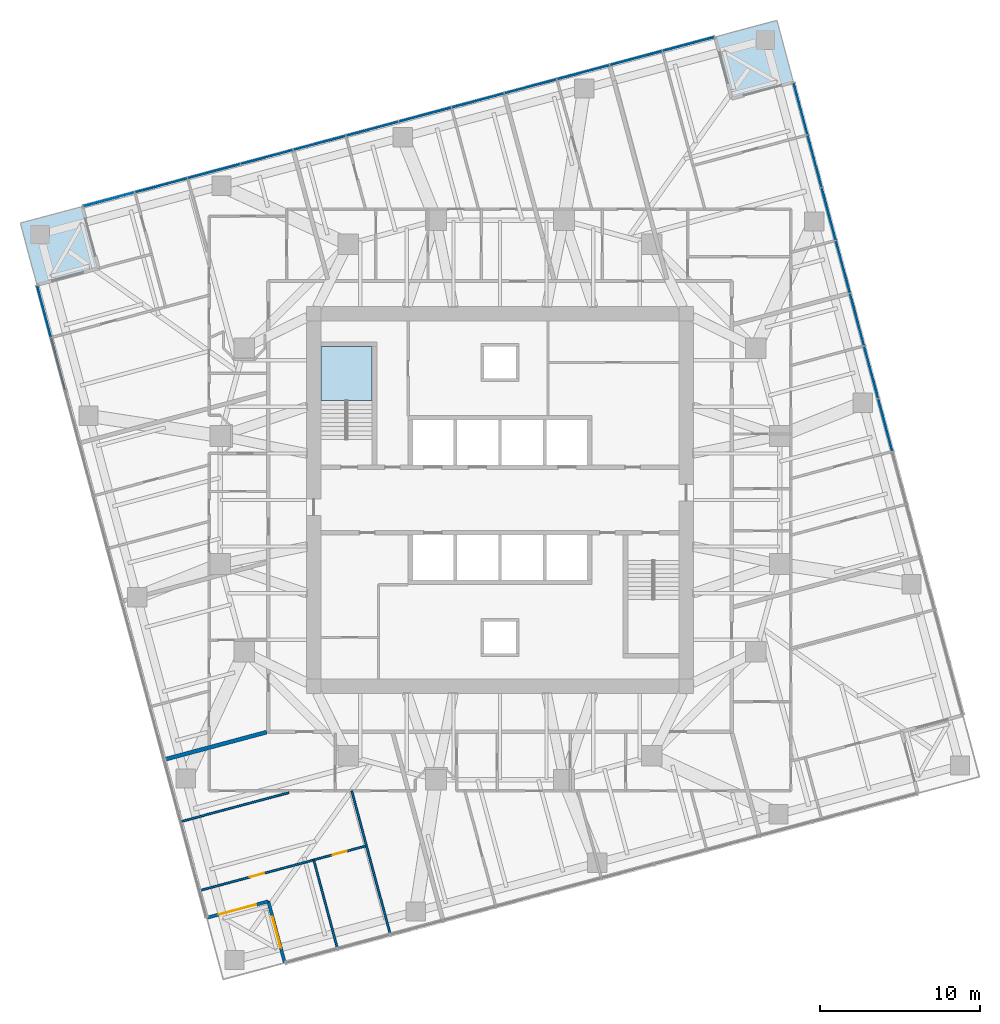
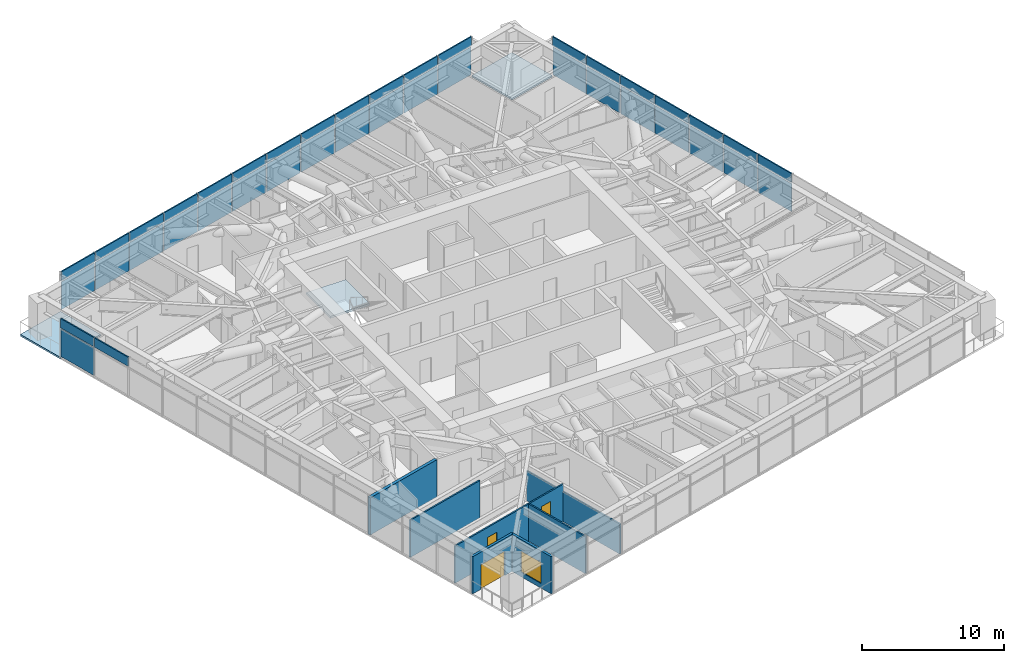
# One storey, part 10 of 18: 41 plates, 7 walls, 3 doors, 3 slabs, 1 window, 4 openings, 4 elements without a shape of their own.
"""IFC4 building model written with IfcOpenShell, lengths in metres."""

from ifc_helpers import new_model, si_unit, direction, frame, frame_2d, origin, origin_2d, place, context, subcontext, project, spatial, polyline, rectangle, outline, extrude, material, layer, layer_set, type_object, element, fill, aggregate, save


model = new_model("IFC4")

# Units and contexts
model_context = context("Model", 3, precision=1e-05, world=origin(), true_north=direction((0.0, 1.0)))
body_context = subcontext(model_context, "Body", "Model", "MODEL_VIEW")
ifc_project = project(units=[si_unit("LENGTHUNIT", "METRE"), si_unit("AREAUNIT", "SQUARE_METRE"), si_unit("VOLUMEUNIT", "CUBIC_METRE"), si_unit("PLANEANGLEUNIT", "RADIAN"), si_unit("MASSUNIT", "GRAM", prefix="KILO")], contexts=[model_context])

# Site, building, storey
site_placement = place(None, origin())
site = spatial("IfcSite", under=ifc_project, at=site_placement, CompositionType="ELEMENT")
building_placement = place(site_placement, origin())
building = spatial("IfcBuilding", under=site, at=building_placement, Name="Torsade Residences", CompositionType="ELEMENT")
storey_placement = place(building_placement, frame((0.0, 0.0, 135.39990234375)))
storey = spatial("IfcBuildingStorey", under=building, at=storey_placement, Name="L37", CompositionType="ELEMENT", Elevation=135.39990234375)

# Curtain wall, plates
ifc_material_1 = material(Name="Aluminium and glass", Category="aluminium")
curtain_wall_type = type_object("IfcCurtainWallType", Name="FRITTED GLASS CURTAIN WALL MID ZONE", PredefinedType="NOTDEFINED", material=ifc_material_1)
curtain_wall_1_placement = place(storey_placement, origin())
curtain_wall_1 = element("IfcCurtainWall", 1, at=curtain_wall_1_placement, inside=storey, type_object=curtain_wall_type, Name="Curtain wall L37 face 4", PredefinedType="NOTDEFINED")
ifc_material_2 = material(Name="Laminated glass", Category="glass")
ifc_layer_1 = layer(ifc_material_2, 0.031982421875)
ifc_layer_set_1 = layer_set([ifc_layer_1], Name="Laminated glass")
plate_type_1 = type_object("IfcPlateType", Name="FRITTED GLASS PANEL", PredefinedType="CURTAIN_PANEL", material=ifc_layer_set_1)
plate_1_placement = place(storey_placement, frame((63.22314453125, 37.9912109375, 0.1103515625), z_axis=(0.0, 0.0, 1.0), x_axis=(-0.258819047783, 0.965925825571, 0.0)))
plate_1 = element("IfcPlate", 2, at=plate_1_placement, type_object=plate_type_1, Name="Panel 7", PredefinedType="CURTAIN_PANEL", context=body_context, shape_type="SweptSolid", body=[
    extrude(rectangle(XDim=3.336669921875, YDim=0.031982421875, at=origin_2d()), origin(), (0.0, 0.0, 1.0), 2.389892578125),
])
plate_2_placement = place(storey_placement, frame((62.338623046875, 41.29150390625, 0.1103515625), z_axis=(0.0, 0.0, 1.0), x_axis=(-0.258819047783, 0.965925825571, 0.0)))
plate_2 = element("IfcPlate", 3, at=plate_2_placement, type_object=plate_type_1, Name="Panel 8", PredefinedType="CURTAIN_PANEL", context=body_context, shape_type="SweptSolid", body=[
    extrude(rectangle(XDim=3.336669921875, YDim=0.031982421875, at=origin_2d()), origin(), (0.0, 0.0, 1.0), 2.389892578125),
])
plate_3_placement = place(storey_placement, frame((61.454345703125, 44.591796875, 0.1103515625), z_axis=(0.0, 0.0, 1.0), x_axis=(-0.258819047783, 0.965925825571, 0.0)))
plate_3 = element("IfcPlate", 4, at=plate_3_placement, type_object=plate_type_1, Name="Panel 9", PredefinedType="CURTAIN_PANEL", context=body_context, shape_type="SweptSolid", body=[
    extrude(rectangle(XDim=3.336669921875, YDim=0.031982421875, at=origin_2d()), origin(), (0.0, 0.0, 1.0), 2.389892578125),
])
plate_4_placement = place(storey_placement, frame((59.685791015625, 51.192138671875, 0.1103515625), z_axis=(0.0, 0.0, 1.0), x_axis=(-0.258819047783, 0.965925825571, 0.0)))
plate_4 = element("IfcPlate", 5, at=plate_4_placement, type_object=plate_type_1, Name="Panel 11", PredefinedType="CURTAIN_PANEL", context=body_context, shape_type="SweptSolid", body=[
    extrude(rectangle(XDim=3.336669921875, YDim=0.031982421875, at=origin_2d()), origin(), (0.0, 0.0, 1.0), 2.389892578125),
])
plate_5_placement = place(storey_placement, frame((58.806640625, 54.47314453125, 0.1103515625), z_axis=(0.0, 0.0, 1.0), x_axis=(-0.258819047783, 0.965925825571, 0.0)))
plate_5 = element("IfcPlate", 6, at=plate_5_placement, type_object=plate_type_1, Name="Panel 12", PredefinedType="CURTAIN_PANEL", context=body_context, shape_type="SweptSolid", body=[
    extrude(rectangle(XDim=3.296630859375, YDim=0.031982421875, at=origin_2d()), origin(), (0.0, 0.0, 1.0), 2.389892578125),
])

curtain_wall_2_placement = place(storey_placement, origin())
curtain_wall_2 = element("IfcCurtainWall", 7, at=curtain_wall_2_placement, inside=storey, type_object=curtain_wall_type, Name="Curtain wall L37 face 7", PredefinedType="NOTDEFINED")
plate_6_placement = place(storey_placement, frame((51.791015625, 58.523681640625, 0.1103515625), z_axis=(0.0, 0.0, 1.0), x_axis=(-0.965925825571, -0.258819047783, 0.0)))
plate_6 = element("IfcPlate", 8, at=plate_6_placement, type_object=plate_type_1, Name="Panel 1", PredefinedType="CURTAIN_PANEL", context=body_context, shape_type="SweptSolid", body=[
    extrude(rectangle(XDim=3.296630859375, YDim=0.031982421875, at=origin_2d()), origin(), (0.0, 0.0, 1.0), 2.389892578125),
])
plate_7_placement = place(storey_placement, frame((45.209716796875, 56.76025390625, 0.1103515625), z_axis=(0.0, 0.0, 1.0), x_axis=(-0.965925825571, -0.258819047783, 0.0)))
plate_7 = element("IfcPlate", 9, at=plate_7_placement, type_object=plate_type_1, Name="Panel 3", PredefinedType="CURTAIN_PANEL", context=body_context, shape_type="SweptSolid", body=[
    extrude(rectangle(XDim=3.336669921875, YDim=0.031982421875, at=origin_2d()), origin(), (0.0, 0.0, 1.0), 2.389892578125),
])
plate_8_placement = place(storey_placement, frame((41.90966796875, 55.8759765625, 0.1103515625), z_axis=(0.0, 0.0, 1.0), x_axis=(-0.965925825571, -0.258819047783, 0.0)))
plate_8 = element("IfcPlate", 10, at=plate_8_placement, type_object=plate_type_1, Name="Panel 4", PredefinedType="CURTAIN_PANEL", context=body_context, shape_type="SweptSolid", body=[
    extrude(rectangle(XDim=3.336669921875, YDim=0.031982421875, at=origin_2d()), origin(), (0.0, 0.0, 1.0), 2.389892578125),
])
plate_9_placement = place(storey_placement, frame((38.609375, 54.99169921875, 0.1103515625), z_axis=(0.0, 0.0, 1.0), x_axis=(-0.965925825571, -0.258819047783, 0.0)))
plate_9 = element("IfcPlate", 11, at=plate_9_placement, type_object=plate_type_1, Name="Panel 5", PredefinedType="CURTAIN_PANEL", context=body_context, shape_type="SweptSolid", body=[
    extrude(rectangle(XDim=3.336669921875, YDim=0.031982421875, at=origin_2d()), origin(), (0.0, 0.0, 1.0), 2.389892578125),
])
plate_10_placement = place(storey_placement, frame((32.0087890625, 53.22314453125, 0.1103515625), z_axis=(0.0, 0.0, 1.0), x_axis=(-0.965925825571, -0.258819047783, 0.0)))
plate_10 = element("IfcPlate", 12, at=plate_10_placement, type_object=plate_type_1, Name="Panel 7", PredefinedType="CURTAIN_PANEL", context=body_context, shape_type="SweptSolid", body=[
    extrude(rectangle(XDim=3.336669921875, YDim=0.031982421875, at=origin_2d()), origin(), (0.0, 0.0, 1.0), 2.389892578125),
])
plate_11_placement = place(storey_placement, frame((28.70849609375, 52.338623046875, 0.1103515625), z_axis=(0.0, 0.0, 1.0), x_axis=(-0.965925825571, -0.258819047783, 0.0)))
plate_11 = element("IfcPlate", 13, at=plate_11_placement, type_object=plate_type_1, Name="Panel 8", PredefinedType="CURTAIN_PANEL", context=body_context, shape_type="SweptSolid", body=[
    extrude(rectangle(XDim=3.336669921875, YDim=0.031982421875, at=origin_2d()), origin(), (0.0, 0.0, 1.0), 2.389892578125),
])
plate_12_placement = place(storey_placement, frame((25.408203125, 51.454345703125, 0.1103515625), z_axis=(0.0, 0.0, 1.0), x_axis=(-0.965925825571, -0.258819047783, 0.0)))
plate_12 = element("IfcPlate", 14, at=plate_12_placement, type_object=plate_type_1, Name="Panel 9", PredefinedType="CURTAIN_PANEL", context=body_context, shape_type="SweptSolid", body=[
    extrude(rectangle(XDim=3.336669921875, YDim=0.031982421875, at=origin_2d()), origin(), (0.0, 0.0, 1.0), 2.389892578125),
])
plate_13_placement = place(storey_placement, frame((18.807861328125, 49.685791015625, 0.1103515625), z_axis=(0.0, 0.0, 1.0), x_axis=(-0.965925825571, -0.258819047783, 0.0)))
plate_13 = element("IfcPlate", 15, at=plate_13_placement, type_object=plate_type_1, Name="Panel 11", PredefinedType="CURTAIN_PANEL", context=body_context, shape_type="SweptSolid", body=[
    extrude(rectangle(XDim=3.336669921875, YDim=0.031982421875, at=origin_2d()), origin(), (0.0, 0.0, 1.0), 2.389892578125),
])
plate_14_placement = place(storey_placement, frame((15.52685546875, 48.806640625, 0.1103515625), z_axis=(0.0, 0.0, 1.0), x_axis=(-0.965925825571, -0.258819047783, 0.0)))
plate_14 = element("IfcPlate", 16, at=plate_14_placement, type_object=plate_type_1, Name="Panel 12", PredefinedType="CURTAIN_PANEL", context=body_context, shape_type="SweptSolid", body=[
    extrude(rectangle(XDim=3.296630859375, YDim=0.031982421875, at=origin_2d()), origin(), (0.0, 0.0, 1.0), 2.389892578125),
])

# Curtain wall, plate
curtain_wall_3_placement = place(storey_placement, origin())
curtain_wall_3 = element("IfcCurtainWall", 17, at=curtain_wall_3_placement, inside=storey, type_object=curtain_wall_type, Name="Curtain wall L37 face 10", PredefinedType="NOTDEFINED")
plate_15_placement = place(storey_placement, frame((11.476318359375, 41.791015625, 0.1103515625), z_axis=(0.0, 0.0, 1.0), x_axis=(0.258819047783, -0.965925825571, 0.0)))
plate_15 = element("IfcPlate", 18, at=plate_15_placement, type_object=plate_type_1, Name="Panel 1", PredefinedType="CURTAIN_PANEL", context=body_context, shape_type="SweptSolid", body=[
    extrude(rectangle(XDim=3.296630859375, YDim=0.031982421875, at=origin_2d()), origin(), (0.0, 0.0, 1.0), 2.389892578125),
])

# Plate
ifc_material_3 = material(Name="Aluminium composite spandrel panel", Category="aluminium")
ifc_layer_2 = layer(ifc_material_3, 0.10009765625)
ifc_layer_set_2 = layer_set([ifc_layer_2], Name="Aluminium composite spandrel panel")
plate_type_2 = type_object("IfcPlateType", Name="OPAQUE SPANDREL PANEL", PredefinedType="CURTAIN_PANEL", material=ifc_layer_set_2)
plate_16_placement = place(storey_placement, frame((64.107421875, 34.69091796875, 2.610107421875), z_axis=(0.0, 0.0, 1.0), x_axis=(-0.258819047783, 0.965925825571, 0.0)))
plate_16 = element("IfcPlate", 19, at=plate_16_placement, type_object=plate_type_2, Name="Spandrel panel 6", PredefinedType="CURTAIN_PANEL", context=body_context, shape_type="SweptSolid", body=[
    extrude(rectangle(XDim=3.336669921875, YDim=0.10009765625, at=origin_2d()), origin(), (0.0, 0.0, 1.0), 0.7900390625),
])

plate_17_placement = place(storey_placement, frame((63.22314453125, 37.9912109375, 2.610107421875), z_axis=(0.0, 0.0, 1.0), x_axis=(-0.258819047783, 0.965925825571, 0.0)))
plate_17 = element("IfcPlate", 20, at=plate_17_placement, type_object=plate_type_2, Name="Spandrel panel 7", PredefinedType="CURTAIN_PANEL", context=body_context, shape_type="SweptSolid", body=[
    extrude(rectangle(XDim=3.336669921875, YDim=0.10009765625, at=origin_2d()), origin(), (0.0, 0.0, 1.0), 0.7900390625),
])

plate_18_placement = place(storey_placement, frame((62.338623046875, 41.29150390625, 2.610107421875), z_axis=(0.0, 0.0, 1.0), x_axis=(-0.258819047783, 0.965925825571, 0.0)))
plate_18 = element("IfcPlate", 21, at=plate_18_placement, type_object=plate_type_2, Name="Spandrel panel 8", PredefinedType="CURTAIN_PANEL", context=body_context, shape_type="SweptSolid", body=[
    extrude(rectangle(XDim=3.336669921875, YDim=0.10009765625, at=origin_2d()), origin(), (0.0, 0.0, 1.0), 0.7900390625),
])

plate_19_placement = place(storey_placement, frame((61.454345703125, 44.591796875, 2.610107421875), z_axis=(0.0, 0.0, 1.0), x_axis=(-0.258819047783, 0.965925825571, 0.0)))
plate_19 = element("IfcPlate", 22, at=plate_19_placement, type_object=plate_type_2, Name="Spandrel panel 9", PredefinedType="CURTAIN_PANEL", context=body_context, shape_type="SweptSolid", body=[
    extrude(rectangle(XDim=3.336669921875, YDim=0.10009765625, at=origin_2d()), origin(), (0.0, 0.0, 1.0), 0.7900390625),
])

plate_20_placement = place(storey_placement, frame((60.570068359375, 47.891845703125, 2.610107421875), z_axis=(0.0, 0.0, 1.0), x_axis=(-0.258819047783, 0.965925825571, 0.0)))
plate_20 = element("IfcPlate", 23, at=plate_20_placement, type_object=plate_type_2, Name="Spandrel panel 10", PredefinedType="CURTAIN_PANEL", context=body_context, shape_type="SweptSolid", body=[
    extrude(rectangle(XDim=3.336669921875, YDim=0.10009765625, at=origin_2d()), origin(), (0.0, 0.0, 1.0), 0.7900390625),
])

plate_21_placement = place(storey_placement, frame((59.685791015625, 51.192138671875, 2.610107421875), z_axis=(0.0, 0.0, 1.0), x_axis=(-0.258819047783, 0.965925825571, 0.0)))
plate_21 = element("IfcPlate", 24, at=plate_21_placement, type_object=plate_type_2, Name="Spandrel panel 11", PredefinedType="CURTAIN_PANEL", context=body_context, shape_type="SweptSolid", body=[
    extrude(rectangle(XDim=3.336669921875, YDim=0.10009765625, at=origin_2d()), origin(), (0.0, 0.0, 1.0), 0.7900390625),
])

plate_22_placement = place(storey_placement, frame((58.806640625, 54.47314453125, 2.610107421875), z_axis=(0.0, 0.0, 1.0), x_axis=(-0.258819047783, 0.965925825571, 0.0)))
plate_22 = element("IfcPlate", 25, at=plate_22_placement, type_object=plate_type_2, Name="Spandrel panel 12", PredefinedType="CURTAIN_PANEL", context=body_context, shape_type="SweptSolid", body=[
    extrude(rectangle(XDim=3.296630859375, YDim=0.10009765625, at=origin_2d()), origin(), (0.0, 0.0, 1.0), 0.7900390625),
])

plate_23_placement = place(storey_placement, frame((51.791015625, 58.523681640625, 2.610107421875), z_axis=(0.0, 0.0, 1.0), x_axis=(-0.965925825571, -0.258819047783, 0.0)))
plate_23 = element("IfcPlate", 26, at=plate_23_placement, type_object=plate_type_2, Name="Spandrel panel 1", PredefinedType="CURTAIN_PANEL", context=body_context, shape_type="SweptSolid", body=[
    extrude(rectangle(XDim=3.296630859375, YDim=0.10009765625, at=origin_2d()), origin(), (0.0, 0.0, 1.0), 0.7900390625),
])

plate_24_placement = place(storey_placement, frame((48.510009765625, 57.64453125, 2.610107421875), z_axis=(0.0, 0.0, 1.0), x_axis=(-0.965925825571, -0.258819047783, 0.0)))
plate_24 = element("IfcPlate", 27, at=plate_24_placement, type_object=plate_type_2, Name="Spandrel panel 2", PredefinedType="CURTAIN_PANEL", context=body_context, shape_type="SweptSolid", body=[
    extrude(rectangle(XDim=3.336669921875, YDim=0.10009765625, at=origin_2d()), origin(), (0.0, 0.0, 1.0), 0.7900390625),
])

plate_25_placement = place(storey_placement, frame((45.209716796875, 56.76025390625, 2.610107421875), z_axis=(0.0, 0.0, 1.0), x_axis=(-0.965925825571, -0.258819047783, 0.0)))
plate_25 = element("IfcPlate", 28, at=plate_25_placement, type_object=plate_type_2, Name="Spandrel panel 3", PredefinedType="CURTAIN_PANEL", context=body_context, shape_type="SweptSolid", body=[
    extrude(rectangle(XDim=3.336669921875, YDim=0.10009765625, at=origin_2d()), origin(), (0.0, 0.0, 1.0), 0.7900390625),
])

plate_26_placement = place(storey_placement, frame((41.90966796875, 55.8759765625, 2.610107421875), z_axis=(0.0, 0.0, 1.0), x_axis=(-0.965925825571, -0.258819047783, 0.0)))
plate_26 = element("IfcPlate", 29, at=plate_26_placement, type_object=plate_type_2, Name="Spandrel panel 4", PredefinedType="CURTAIN_PANEL", context=body_context, shape_type="SweptSolid", body=[
    extrude(rectangle(XDim=3.336669921875, YDim=0.10009765625, at=origin_2d()), origin(), (0.0, 0.0, 1.0), 0.7900390625),
])

plate_27_placement = place(storey_placement, frame((38.609375, 54.99169921875, 2.610107421875), z_axis=(0.0, 0.0, 1.0), x_axis=(-0.965925825571, -0.258819047783, 0.0)))
plate_27 = element("IfcPlate", 30, at=plate_27_placement, type_object=plate_type_2, Name="Spandrel panel 5", PredefinedType="CURTAIN_PANEL", context=body_context, shape_type="SweptSolid", body=[
    extrude(rectangle(XDim=3.336669921875, YDim=0.10009765625, at=origin_2d()), origin(), (0.0, 0.0, 1.0), 0.7900390625),
])

plate_28_placement = place(storey_placement, frame((35.30908203125, 54.107421875, 2.610107421875), z_axis=(0.0, 0.0, 1.0), x_axis=(-0.965925825571, -0.258819047783, 0.0)))
plate_28 = element("IfcPlate", 31, at=plate_28_placement, type_object=plate_type_2, Name="Spandrel panel 6", PredefinedType="CURTAIN_PANEL", context=body_context, shape_type="SweptSolid", body=[
    extrude(rectangle(XDim=3.336669921875, YDim=0.10009765625, at=origin_2d()), origin(), (0.0, 0.0, 1.0), 0.7900390625),
])

plate_29_placement = place(storey_placement, frame((32.0087890625, 53.22314453125, 2.610107421875), z_axis=(0.0, 0.0, 1.0), x_axis=(-0.965925825571, -0.258819047783, 0.0)))
plate_29 = element("IfcPlate", 32, at=plate_29_placement, type_object=plate_type_2, Name="Spandrel panel 7", PredefinedType="CURTAIN_PANEL", context=body_context, shape_type="SweptSolid", body=[
    extrude(rectangle(XDim=3.336669921875, YDim=0.10009765625, at=origin_2d()), origin(), (0.0, 0.0, 1.0), 0.7900390625),
])

plate_30_placement = place(storey_placement, frame((28.70849609375, 52.338623046875, 2.610107421875), z_axis=(0.0, 0.0, 1.0), x_axis=(-0.965925825571, -0.258819047783, 0.0)))
plate_30 = element("IfcPlate", 33, at=plate_30_placement, type_object=plate_type_2, Name="Spandrel panel 8", PredefinedType="CURTAIN_PANEL", context=body_context, shape_type="SweptSolid", body=[
    extrude(rectangle(XDim=3.336669921875, YDim=0.10009765625, at=origin_2d()), origin(), (0.0, 0.0, 1.0), 0.7900390625),
])

plate_31_placement = place(storey_placement, frame((25.408203125, 51.454345703125, 2.610107421875), z_axis=(0.0, 0.0, 1.0), x_axis=(-0.965925825571, -0.258819047783, 0.0)))
plate_31 = element("IfcPlate", 34, at=plate_31_placement, type_object=plate_type_2, Name="Spandrel panel 9", PredefinedType="CURTAIN_PANEL", context=body_context, shape_type="SweptSolid", body=[
    extrude(rectangle(XDim=3.336669921875, YDim=0.10009765625, at=origin_2d()), origin(), (0.0, 0.0, 1.0), 0.7900390625),
])

plate_32_placement = place(storey_placement, frame((22.108154296875, 50.570068359375, 2.610107421875), z_axis=(0.0, 0.0, 1.0), x_axis=(-0.965925825571, -0.258819047783, 0.0)))
plate_32 = element("IfcPlate", 35, at=plate_32_placement, type_object=plate_type_2, Name="Spandrel panel 10", PredefinedType="CURTAIN_PANEL", context=body_context, shape_type="SweptSolid", body=[
    extrude(rectangle(XDim=3.336669921875, YDim=0.10009765625, at=origin_2d()), origin(), (0.0, 0.0, 1.0), 0.7900390625),
])

plate_33_placement = place(storey_placement, frame((18.807861328125, 49.685791015625, 2.610107421875), z_axis=(0.0, 0.0, 1.0), x_axis=(-0.965925825571, -0.258819047783, 0.0)))
plate_33 = element("IfcPlate", 36, at=plate_33_placement, type_object=plate_type_2, Name="Spandrel panel 11", PredefinedType="CURTAIN_PANEL", context=body_context, shape_type="SweptSolid", body=[
    extrude(rectangle(XDim=3.336669921875, YDim=0.10009765625, at=origin_2d()), origin(), (0.0, 0.0, 1.0), 0.7900390625),
])

plate_34_placement = place(storey_placement, frame((15.52685546875, 48.806640625, 2.610107421875), z_axis=(0.0, 0.0, 1.0), x_axis=(-0.965925825571, -0.258819047783, 0.0)))
plate_34 = element("IfcPlate", 37, at=plate_34_placement, type_object=plate_type_2, Name="Spandrel panel 12", PredefinedType="CURTAIN_PANEL", context=body_context, shape_type="SweptSolid", body=[
    extrude(rectangle(XDim=3.296630859375, YDim=0.10009765625, at=origin_2d()), origin(), (0.0, 0.0, 1.0), 0.7900390625),
])

plate_35_placement = place(storey_placement, frame((11.476318359375, 41.791015625, 2.610107421875), z_axis=(0.0, 0.0, 1.0), x_axis=(0.258819047783, -0.965925825571, 0.0)))
plate_35 = element("IfcPlate", 38, at=plate_35_placement, type_object=plate_type_2, Name="Spandrel panel 1", PredefinedType="CURTAIN_PANEL", context=body_context, shape_type="SweptSolid", body=[
    extrude(rectangle(XDim=3.296630859375, YDim=0.10009765625, at=origin_2d()), origin(), (0.0, 0.0, 1.0), 0.7900390625),
])

plate_36_placement = place(storey_placement, frame((12.35546875, 38.510009765625, 2.610107421875), z_axis=(0.0, 0.0, 1.0), x_axis=(0.258819047783, -0.965925825571, 0.0)))
plate_36 = element("IfcPlate", 39, at=plate_36_placement, type_object=plate_type_2, Name="Spandrel panel 2", PredefinedType="CURTAIN_PANEL", context=body_context, shape_type="SweptSolid", body=[
    extrude(rectangle(XDim=3.336669921875, YDim=0.10009765625, at=origin_2d()), origin(), (0.0, 0.0, 1.0), 0.7900390625),
])

aggregate(curtain_wall_3, [plate_15, plate_35, plate_36])

ifc_material_4 = material(Name="Laminated glass", Category="glass")
ifc_layer_3 = layer(ifc_material_4, 0.0400390625)
ifc_layer_set_3 = layer_set([ifc_layer_3], Name="Laminated glass")
plate_type_3 = type_object("IfcPlateType", Name="OPERABLE VENT PANEL", PredefinedType="CURTAIN_PANEL", material=ifc_layer_set_3)
plate_37_placement = place(storey_placement, frame((64.107421875, 34.69091796875, 0.1103515625), z_axis=(0.0, 0.0, 1.0), x_axis=(-0.258819047783, 0.965925825571, 0.0)))
plate_37 = element("IfcPlate", 40, at=plate_37_placement, type_object=plate_type_3, Name="Panel 6", PredefinedType="CURTAIN_PANEL", context=body_context, shape_type="SweptSolid", body=[
    extrude(rectangle(XDim=3.336669921875, YDim=0.0400390625, at=origin_2d()), origin(), (0.0, 0.0, 1.0), 2.389892578125),
])

plate_38_placement = place(storey_placement, frame((60.570068359375, 47.891845703125, 0.1103515625), z_axis=(0.0, 0.0, 1.0), x_axis=(-0.258819047783, 0.965925825571, 0.0)))
plate_38 = element("IfcPlate", 41, at=plate_38_placement, type_object=plate_type_3, Name="Panel 10", PredefinedType="CURTAIN_PANEL", context=body_context, shape_type="SweptSolid", body=[
    extrude(rectangle(XDim=3.336669921875, YDim=0.0400390625, at=origin_2d()), origin(), (0.0, 0.0, 1.0), 2.389892578125),
])

aggregate(curtain_wall_1, [plate_37, plate_16, plate_1, plate_17, plate_2, plate_18, plate_3, plate_19, plate_38, plate_20, plate_4, plate_21, plate_5, plate_22])

plate_39_placement = place(storey_placement, frame((48.510009765625, 57.64453125, 0.1103515625), z_axis=(0.0, 0.0, 1.0), x_axis=(-0.965925825571, -0.258819047783, 0.0)))
plate_39 = element("IfcPlate", 42, at=plate_39_placement, type_object=plate_type_3, Name="Panel 2", PredefinedType="CURTAIN_PANEL", context=body_context, shape_type="SweptSolid", body=[
    extrude(rectangle(XDim=3.336669921875, YDim=0.0400390625, at=origin_2d()), origin(), (0.0, 0.0, 1.0), 2.389892578125),
])

plate_40_placement = place(storey_placement, frame((35.30908203125, 54.107421875, 0.1103515625), z_axis=(0.0, 0.0, 1.0), x_axis=(-0.965925825571, -0.258819047783, 0.0)))
plate_40 = element("IfcPlate", 43, at=plate_40_placement, type_object=plate_type_3, Name="Panel 6", PredefinedType="CURTAIN_PANEL", context=body_context, shape_type="SweptSolid", body=[
    extrude(rectangle(XDim=3.336669921875, YDim=0.0400390625, at=origin_2d()), origin(), (0.0, 0.0, 1.0), 2.389892578125),
])

plate_41_placement = place(storey_placement, frame((22.108154296875, 50.570068359375, 0.1103515625), z_axis=(0.0, 0.0, 1.0), x_axis=(-0.965925825571, -0.258819047783, 0.0)))
plate_41 = element("IfcPlate", 44, at=plate_41_placement, type_object=plate_type_3, Name="Panel 10", PredefinedType="CURTAIN_PANEL", context=body_context, shape_type="SweptSolid", body=[
    extrude(rectangle(XDim=3.336669921875, YDim=0.0400390625, at=origin_2d()), origin(), (0.0, 0.0, 1.0), 2.389892578125),
])

aggregate(curtain_wall_2, [plate_6, plate_23, plate_39, plate_24, plate_7, plate_25, plate_8, plate_26, plate_9, plate_27, plate_40, plate_28, plate_10, plate_29, plate_11, plate_30, plate_12, plate_31, plate_41, plate_32, plate_13, plate_33, plate_14, plate_34])

# Stair, slab
ifc_material_5 = material(Name="Precast concrete 40 MPa", Category="concrete")
stair_type = type_object("IfcStairType", Name="HALF-TURN FIRE STAIR 1500x3400", PredefinedType="HALF_TURN_STAIR", material=ifc_material_5)
stair_placement = place(storey_placement, origin())
stair = element("IfcStair", 45, at=stair_placement, inside=storey, type_object=stair_type, Name="Stair ST1 L37", PredefinedType="HALF_TURN_STAIR")
ifc_material_6 = material(Name="Precast concrete 40 MPa", Category="concrete")
ifc_layer_4 = layer(ifc_material_6, 0.179931640625)
ifc_layer_set_4 = layer_set([ifc_layer_4], Name="Precast concrete 40 MPa")
slab_type_1 = type_object("IfcSlabType", Name="PRECAST STAIR LANDING 180", PredefinedType="LANDING", material=ifc_layer_set_4)
slab_1_placement = place(storey_placement, frame((0.0, 0.0, 1.52001953125)))
slab_1 = element("IfcSlab", 46, at=slab_1_placement, type_object=slab_type_1, Name="ST1 landing 1", PredefinedType="LANDING", context=body_context, shape_type="SweptSolid", body=[
    extrude(outline(polyline([(28.800048828125, 36.2099609375), (32.0, 36.2099609375), (32.0, 39.60009765625), (28.800048828125, 39.60009765625), (28.800048828125, 36.2099609375)])), origin(), (0.0, 0.0, 1.0), 0.18017578125),
])
aggregate(stair, [slab_1])

# Slabs
ifc_material_7 = material(Name="Concrete 40 MPa", Category="concrete")
ifc_layer_5 = layer(ifc_material_7, 0.14990234375)
ifc_layer_set_5 = layer_set([ifc_layer_5], Name="Concrete 40 MPa")
slab_type_2 = type_object("IfcSlabType", Name="TERRACE SLAB 150", PredefinedType="FLOOR", material=ifc_layer_set_5)
slab_2_placement = place(storey_placement, frame((0.0, 0.0, -0.14990234375)))
element("IfcSlab", 47, at=slab_2_placement, inside=storey, type_object=slab_type_2, Name="Corner terrace slab NE L37", PredefinedType="FLOOR", context=body_context, shape_type="SweptSolid", body=[
    extrude(outline(polyline([(54.49560546875, 55.107177734375), (58.359375, 56.142578125), (57.32421875, 60.00634765625), (53.46044921875, 58.970947265625), (54.49560546875, 55.107177734375)])), origin(), (0.0, 0.0, 1.0), 0.14990234375),
])
slab_3_placement = place(storey_placement, frame((0.0, 0.0, -0.14990234375)))
element("IfcSlab", 48, at=slab_3_placement, inside=storey, type_object=slab_type_2, Name="Corner terrace slab NW L37", PredefinedType="FLOOR", context=body_context, shape_type="SweptSolid", body=[
    extrude(outline(polyline([(11.029052734375, 43.46044921875), (14.892822265625, 44.49560546875), (13.857421875, 48.359375), (9.99365234375, 47.32421875), (11.029052734375, 43.46044921875)])), origin(), (0.0, 0.0, 1.0), 0.14990234375),
])

# Wall
ifc_material_8 = material(Name="Plasterboard on steel stud", Category="steel")
ifc_layer_6 = layer(ifc_material_8, 0.1201171875)
ifc_layer_set_6 = layer_set([ifc_layer_6], Name="Plasterboard on steel stud")
wall_type_1 = type_object("IfcWallType", Name="PARTITION 120", PredefinedType="PARTITIONING", material=ifc_layer_set_6)
wall_1_placement = place(storey_placement, frame((30.727783203125, 11.800048828125, 0.0), z_axis=(0.0, 0.0, 1.0), x_axis=(0.258818491613, -0.965925974596, 0.0)))
element("IfcWall", 49, at=wall_1_placement, inside=storey, type_object=wall_type_1, Name="Partition L37", PredefinedType="PARTITIONING", context=body_context, shape_type="SweptSolid", body=[
    extrude(rectangle(XDim=9.280029296875, YDim=0.1201171875, at=frame_2d((4.64013671875, 0.0))), origin(), (0.0, 0.0, 1.0), 2.588134765625),
])

# Wall, openings, doors
wall_2_placement = place(storey_placement, frame((31.648193359375, 8.36474609375, 0.0), z_axis=(0.0, 0.0, 1.0), x_axis=(-0.965925636365, -0.258819753906, 0.0)))
wall_2 = element("IfcWall", 50, at=wall_2_placement, inside=storey, type_object=wall_type_1, Name="Partition L37", PredefinedType="PARTITIONING", context=body_context, shape_type="SweptSolid", body=[
    extrude(rectangle(XDim=10.79296875, YDim=0.1201171875, at=frame_2d((5.396484375, 0.0))), origin(), (0.0, 0.0, 1.0), 3.2001953125),
])
opening_1_placement = place(wall_2_placement, frame((6.639892578125, 0.0, 0.0)))
opening_1 = element("IfcOpeningElement", 51, at=opening_1_placement, cuts=wall_2, Name="Opening D02", PredefinedType="OPENING", context=body_context, shape_type="SweptSolid", body=[
    extrude(rectangle(XDim=0.919921875, YDim=2.340087890625, at=frame_2d((0.4599609375, 1.169921875))), frame((0.0, 0.070068359375, 0.0), z_axis=(0.0, -1.0, 0.0), x_axis=(1.0, 0.0, 0.0)), (0.0, 0.0, 1.0), 0.14013671875),
])
opening_2_placement = place(wall_2_placement, frame((1.273193359375, 0.0, 0.0)))
opening_2 = element("IfcOpeningElement", 52, at=opening_2_placement, cuts=wall_2, Name="Opening D02", PredefinedType="OPENING", context=body_context, shape_type="SweptSolid", body=[
    extrude(rectangle(XDim=0.919921875, YDim=2.340087890625, at=frame_2d((0.4599609375, 1.169921875))), frame((0.0, 0.070068359375, 0.0), z_axis=(0.0, -1.0, 0.0), x_axis=(1.0, 0.0, 0.0)), (0.0, 0.0, 1.0), 0.14013671875),
])
ifc_material_9 = material(Name="Hollow-core timber door", Category="wood")
door_type_1 = type_object("IfcDoorType", Name="INTERNAL DOOR 920x2340", OperationType="NOTDEFINED", PredefinedType="DOOR", material=ifc_material_9)
door_1_placement = place(opening_1_placement, origin())
door_1 = element("IfcDoor", 53, at=door_1_placement, inside=storey, type_object=door_type_1, Name="Door Living room to Bedroom 2", OperationType="SINGLE_SWING_LEFT", OverallHeight=2.340087890625, OverallWidth=0.919921875, PredefinedType="DOOR", context=body_context, shape_type="SweptSolid", body=[
    extrude(rectangle(XDim=0.919921875, YDim=2.340087890625, at=frame_2d((0.4599609375, 1.169921875))), frame((0.0, 0.02490234375, 0.0), z_axis=(0.0, -1.0, 0.0), x_axis=(1.0, 0.0, 0.0)), (0.0, 0.0, 1.0), 0.050048828125),
])
fill(opening_1, door_1)
door_2_placement = place(opening_2_placement, origin())
door_2 = element("IfcDoor", 54, at=door_2_placement, inside=storey, type_object=door_type_1, Name="Door Living room to Bedroom 3", OperationType="SINGLE_SWING_RIGHT", OverallHeight=2.340087890625, OverallWidth=0.919921875, PredefinedType="DOOR", context=body_context, shape_type="SweptSolid", body=[
    extrude(rectangle(XDim=0.919921875, YDim=2.340087890625, at=frame_2d((0.4599609375, 1.169921875))), frame((0.0, 0.02490234375, 0.0), z_axis=(0.0, -1.0, 0.0), x_axis=(1.0, 0.0, 0.0)), (0.0, 0.0, 1.0), 0.050048828125),
])
fill(opening_2, door_2)

# Walls
wall_3_placement = place(storey_placement, frame((20.06591796875, 9.888671875, 0.0), z_axis=(0.0, 0.0, 1.0), x_axis=(0.965925659778, 0.258819666528, 0.0)))
element("IfcWall", 55, at=wall_3_placement, inside=storey, type_object=wall_type_1, Name="Partition L37", PredefinedType="PARTITIONING", context=body_context, shape_type="SweptSolid", body=[
    extrude(rectangle(XDim=6.95947265625, YDim=0.1201171875, at=frame_2d((3.479736328125, 0.0))), origin(), (0.0, 0.0, 1.0), 3.2001953125),
])
wall_4_placement = place(storey_placement, frame((28.34814453125, 7.48046875, 0.0), z_axis=(0.0, 0.0, 1.0), x_axis=(0.258830607795, -0.965922728001, 0.0)))
element("IfcWall", 56, at=wall_4_placement, inside=storey, type_object=wall_type_1, Name="Partition L37", PredefinedType="PARTITIONING", context=body_context, shape_type="SweptSolid", body=[
    extrude(rectangle(XDim=5.7236328125, YDim=0.1201171875, at=frame_2d((2.86181640625, 0.0))), origin(), (0.0, 0.0, 1.0), 3.2001953125),
])
ifc_material_10 = material(Name="Masonry-lined stud party wall", Category="masonry")
ifc_layer_7 = layer(ifc_material_10, 0.25)
ifc_layer_set_7 = layer_set([ifc_layer_7], Name="Masonry-lined stud party wall")
wall_type_2 = type_object("IfcWallType", Name="PARTY WALL 250", PredefinedType="PARTITIONING", material=ifc_layer_set_7)
wall_5_placement = place(storey_placement, frame((18.98779296875, 13.75830078125, 0.0), z_axis=(0.0, 0.0, 1.0), x_axis=(0.965929355837, 0.25880587229, 0.0)))
element("IfcWall", 57, at=wall_5_placement, inside=storey, type_object=wall_type_2, Name="Party wall L37", PredefinedType="PARTITIONING", context=body_context, shape_type="SweptSolid", body=[
    extrude(rectangle(XDim=6.644775390625, YDim=0.25, at=frame_2d((3.322265625, 0.0))), origin(), (0.0, 0.0, 1.0), 3.2001953125),
])

# Wall, opening, door
ifc_material_11 = material(Name="Stone-faced precast concrete 40 MPa panel", Category="masonry")
ifc_layer_8 = layer(ifc_material_11, 0.199951171875)
ifc_layer_set_8 = layer_set([ifc_layer_8], Name="Stone-faced precast concrete 40 MPa panel")
wall_type_3 = type_object("IfcWallType", Name="TERRACE WALL 200", PredefinedType="SOLIDWALL", material=ifc_layer_set_8)
wall_6_placement = place(storey_placement, frame((21.640625, 3.857421875, 0.0), z_axis=(0.0, 0.0, 1.0), x_axis=(0.965919172068, 0.258843877716, 0.0)))
wall_6 = element("IfcWall", 58, at=wall_6_placement, inside=storey, type_object=wall_type_3, Name="Terrace wall L37 11", PredefinedType="SOLIDWALL", context=body_context, shape_type="SweptSolid", body=[
    extrude(rectangle(XDim=4.0, YDim=0.199951171875, at=frame_2d((2.0, 0.0))), origin(), (0.0, 0.0, 1.0), 3.2001953125),
])
opening_3_placement = place(wall_6_placement, frame((0.800048828125, 0.0, 0.0)))
opening_3 = element("IfcOpeningElement", 59, at=opening_3_placement, cuts=wall_6, Name="Opening D10A", PredefinedType="OPENING", context=body_context, shape_type="SweptSolid", body=[
    extrude(rectangle(XDim=2.39990234375, YDim=2.10009765625, at=frame_2d((1.199951171875, 1.050048828125))), frame((0.0, 0.10986328125, 0.0), z_axis=(0.0, -1.0, 0.0), x_axis=(1.0, 0.0, 0.0)), (0.0, 0.0, 1.0), 0.219970703125),
])
ifc_material_12 = material(Name="Aluminium-framed glass door", Category="aluminium")
door_type_2 = type_object("IfcDoorType", Name="TERRACE SLIDING DOOR 2400x2100", OperationType="SLIDING_TO_LEFT", PredefinedType="DOOR", material=ifc_material_12)
door_3_placement = place(opening_3_placement, origin())
door_3 = element("IfcDoor", 60, at=door_3_placement, inside=storey, type_object=door_type_2, Name="Terrace door L37 11", OperationType="SLIDING_TO_LEFT", OverallHeight=2.10009765625, OverallWidth=2.39990234375, PredefinedType="DOOR", context=body_context, shape_type="SweptSolid", body=[
    extrude(rectangle(XDim=2.39990234375, YDim=2.10009765625, at=frame_2d((1.199951171875, 1.050048828125))), frame((0.0, 0.02490234375, 0.0), z_axis=(0.0, -1.0, 0.0), x_axis=(1.0, 0.0, 0.0)), (0.0, 0.0, 1.0), 0.050048828125),
])
fill(opening_3, door_3)

# Wall, opening, window
wall_7_placement = place(storey_placement, frame((25.50439453125, 4.892822265625, 0.0), z_axis=(0.0, 0.0, 1.0), x_axis=(0.258786931944, -0.965934430412, 0.0)))
wall_7 = element("IfcWall", 61, at=wall_7_placement, inside=storey, type_object=wall_type_3, Name="Terrace wall L37 12", PredefinedType="SOLIDWALL", context=body_context, shape_type="SweptSolid", body=[
    extrude(rectangle(XDim=4.0, YDim=0.199951171875, at=frame_2d((2.0, 0.0))), origin(), (0.0, 0.0, 1.0), 3.2001953125),
])
opening_4_placement = place(wall_7_placement, frame((1.0, 0.0, 0.39990234375)))
opening_4 = element("IfcOpeningElement", 62, at=opening_4_placement, cuts=wall_7, Name="Opening W1B", PredefinedType="OPENING", context=body_context, shape_type="SweptSolid", body=[
    extrude(rectangle(XDim=2.0, YDim=1.800048828125, at=frame_2d((1.0, 0.89990234375))), frame((0.0, 0.10986328125, 0.0), z_axis=(0.0, -1.0, 0.0), x_axis=(1.0, 0.0, 0.0)), (0.0, 0.0, 1.0), 0.219970703125),
])
ifc_material_13 = material(Name="Aluminium-framed glass window", Category="aluminium")
window_type = type_object("IfcWindowType", Name="TERRACE WINDOW 2000x1800", PartitioningType="SINGLE_PANEL", PredefinedType="WINDOW", material=ifc_material_13)
window_placement = place(opening_4_placement, origin())
window = element("IfcWindow", 63, at=window_placement, inside=storey, type_object=window_type, Name="Terrace window L37 12", OverallHeight=1.800048828125, OverallWidth=2.0, PartitioningType="SINGLE_PANEL", PredefinedType="WINDOW", context=body_context, shape_type="SweptSolid", body=[
    extrude(rectangle(XDim=2.0, YDim=1.800048828125, at=frame_2d((1.0, 0.89990234375))), frame((0.0, 0.030029296875, 0.0), z_axis=(0.0, -1.0, 0.0), x_axis=(1.0, 0.0, 0.0)), (0.0, 0.0, 1.0), 0.06005859375),
])
fill(opening_4, window)

save(model, "model.ifc")
